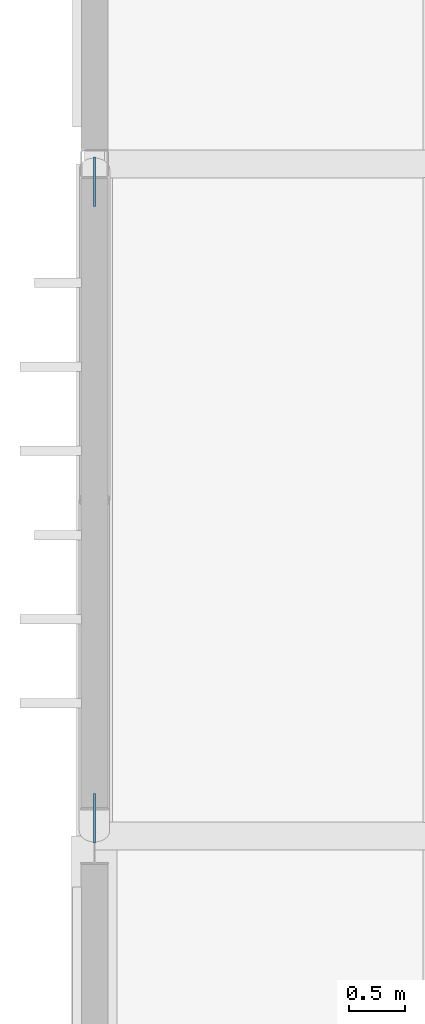
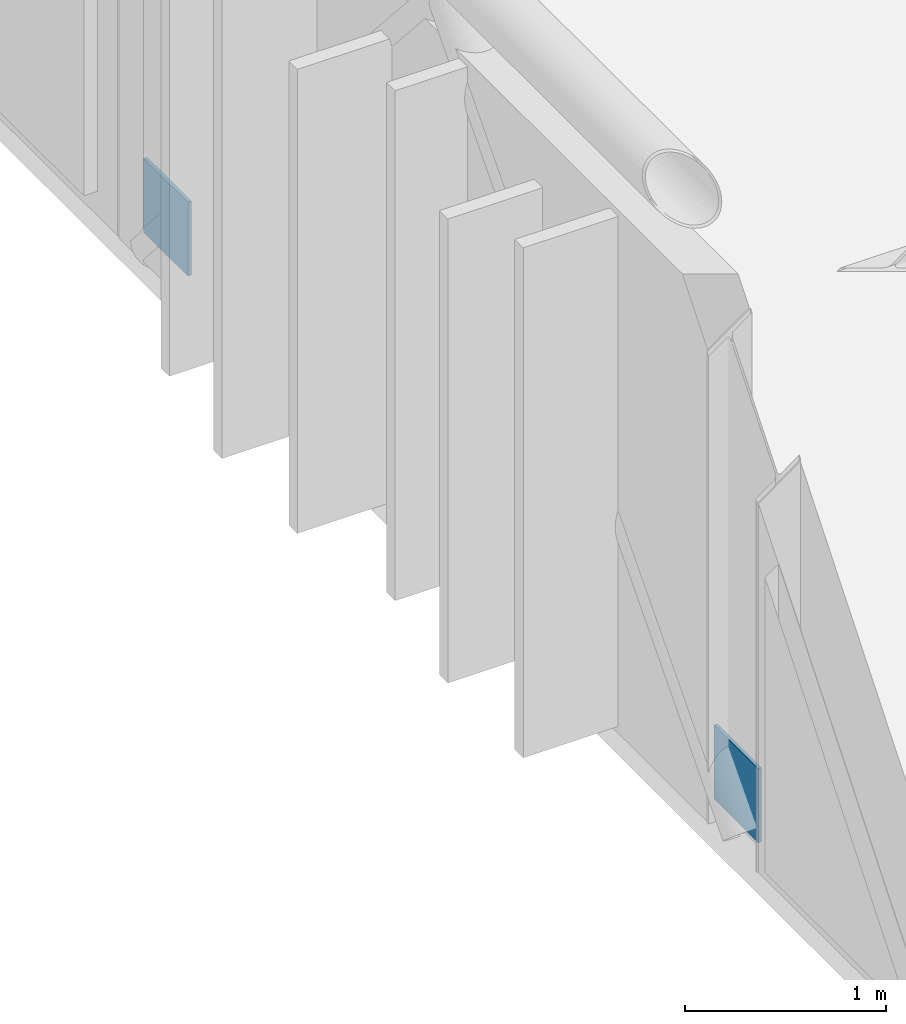
# One storey, part 55 of 63: 2 discrete accessories.
"""IFC4 building model written with IfcOpenShell, lengths in metres."""

from ifc_helpers import new_model, si_unit, direction, frame, origin, origin_2d, place, context, subcontext, project, spatial, rectangle, extrude, material, layer, layer_set, type_object, element, save


model = new_model("IFC4")

# Units and contexts
model_context = context("Model", 3, precision=1e-05, world=origin(), true_north=direction((0.0, 1.0)))
body_context = subcontext(model_context, "Body", "Model", "MODEL_VIEW")
ifc_project = project(units=[si_unit("LENGTHUNIT", "METRE"), si_unit("AREAUNIT", "SQUARE_METRE"), si_unit("VOLUMEUNIT", "CUBIC_METRE"), si_unit("PLANEANGLEUNIT", "RADIAN"), si_unit("MASSUNIT", "GRAM", prefix="KILO")], contexts=[model_context])

# Site, building, storey
site_placement = place(None, origin())
site = spatial("IfcSite", under=ifc_project, at=site_placement, CompositionType="ELEMENT")
building_placement = place(site_placement, origin())
building = spatial("IfcBuilding", under=site, at=building_placement, Name="Varnakota Square Police Headquarters", CompositionType="ELEMENT")
storey_placement = place(building_placement, frame((0.0, 0.0, 22.199951171875)))
storey = spatial("IfcBuildingStorey", under=building, at=storey_placement, Name="L05", CompositionType="ELEMENT", Elevation=22.199951171875)

# Discrete accessories
ifc_material = material(Name="Steel IS 2062 Grade 350", Category="steel")
ifc_layer = layer(ifc_material, 0.64990234375, Name="Steel IS 2062 Grade 350")
ifc_layer_set = layer_set([ifc_layer], Name="Steel IS 2062 Grade 350")
discrete_accessory_type = type_object("IfcDiscreteAccessoryType", Name="ACC-EMB-350", PredefinedType="BRACKET", material=ifc_layer_set)
for number, where, z_axis, x_axis, name in (
    (1, (6.0, 51.159912109375, 0.02490234375), (0.0, 0.0, 1.0), (0.0, 1.0, 0.0), "Brace gusset connection plate BF4 L05 L"),
    (2, (6.0, 56.840087890625, 0.02490234375), (0.0, 0.0, 1.0), (0.0, 1.0, 0.0), "Brace gusset connection plate BF4 L05 R"),
):
    element("IfcDiscreteAccessory", number, at=place(storey_placement, frame(where, z_axis=z_axis, x_axis=x_axis)), inside=storey, type_object=discrete_accessory_type, Name=name, PredefinedType="BRACKET", context=body_context, shape_type="SweptSolid", body=[
        extrude(rectangle(XDim=0.43994140625, YDim=0.02001953125, at=origin_2d()), origin(), (0.0, 0.0, 1.0), 0.449951171875),
    ])

save(model, "model.ifc")
